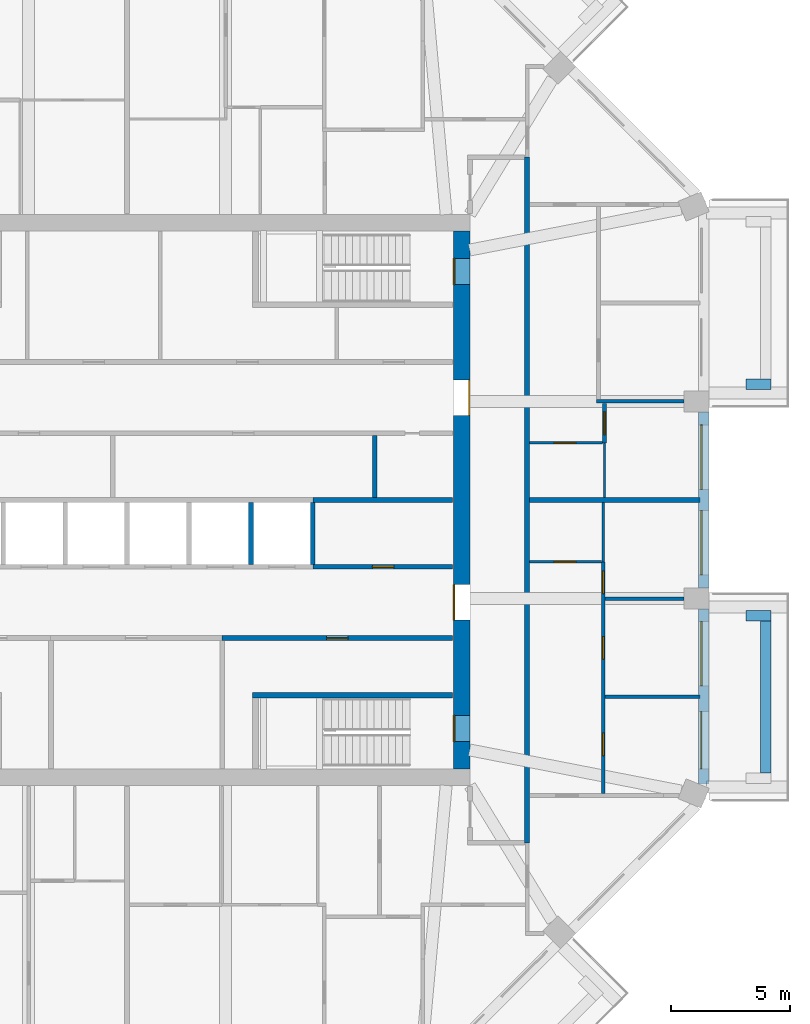
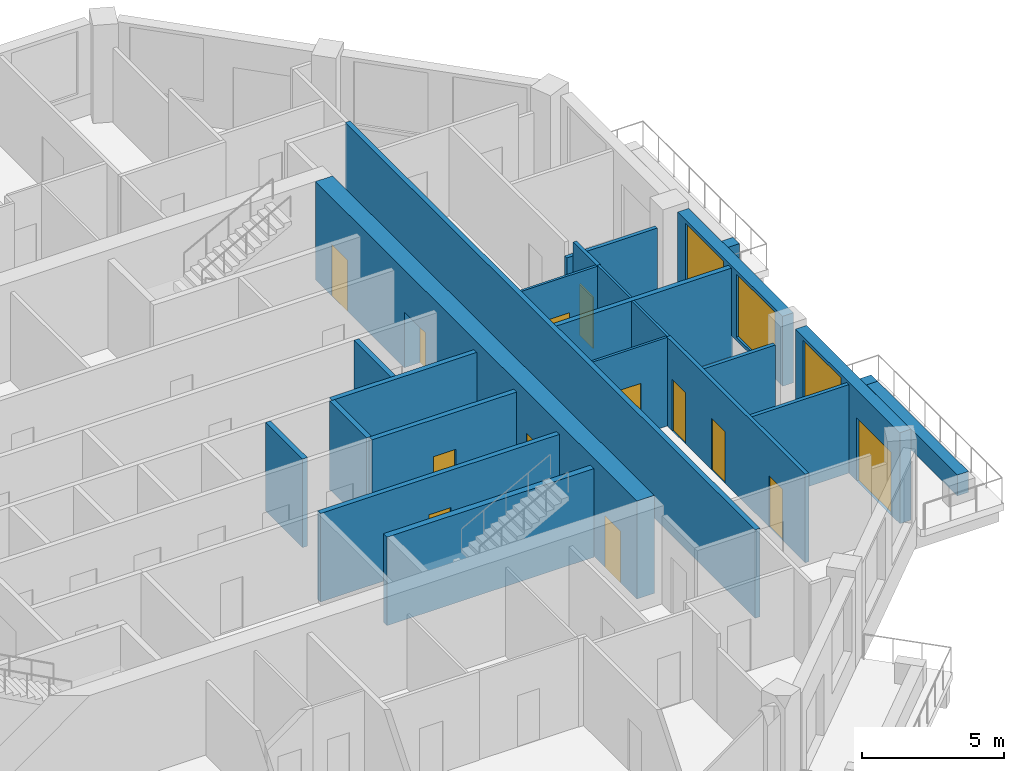
# One storey, part 6 of 12: 24 walls, 13 doors, 3 windows, 16 openings.
"""IFC4 building model written with IfcOpenShell, lengths in metres."""

from ifc_helpers import new_model, si_unit, direction, frame, frame_2d, origin, place, context, subcontext, project, spatial, rectangle, extrude, material, layer, layer_set, type_object, element, fill, save


model = new_model("IFC4")

# Units and contexts
model_context = context("Model", 3, precision=1e-05, world=origin(), true_north=direction((0.0, 1.0)))
body_context = subcontext(model_context, "Body", "Model", "MODEL_VIEW")
ifc_project = project(units=[si_unit("LENGTHUNIT", "METRE"), si_unit("AREAUNIT", "SQUARE_METRE"), si_unit("VOLUMEUNIT", "CUBIC_METRE"), si_unit("PLANEANGLEUNIT", "RADIAN"), si_unit("MASSUNIT", "GRAM", prefix="KILO")], contexts=[model_context])

# Site, building, storey
site_placement = place(None, origin())
site = spatial("IfcSite", under=ifc_project, at=site_placement, CompositionType="ELEMENT")
building_placement = place(site_placement, origin())
building = spatial("IfcBuilding", under=site, at=building_placement, Name="Msitu Wima Residences", CompositionType="ELEMENT")
storey_placement = place(building_placement, frame((0.0, 0.0, 200.10009765625)))
storey = spatial("IfcBuildingStorey", under=building, at=storey_placement, Name="L46", CompositionType="ELEMENT", Elevation=200.10009765625)

# Walls
ifc_material_1 = material(Name="Facing brick")
ifc_layer_1 = layer(ifc_material_1, 0.06494140625, Name="Facing brick")
ifc_material_2 = material(Name="Concrete C40/50", Category="concrete")
ifc_layer_2 = layer(ifc_material_2, 0.156005859375, Name="Concrete C40/50")
ifc_material_3 = material(Name="Waterproofing membrane")
ifc_layer_3 = layer(ifc_material_3, 0.00390625, Name="Waterproofing membrane")
ifc_material_4 = material(Name="Planting soil and planting")
ifc_layer_4 = layer(ifc_material_4, 0.22509765625, Name="Planting soil and planting")
ifc_layer_set_1 = layer_set([ifc_layer_1, ifc_layer_2, ifc_layer_3, ifc_layer_4], Name="Concrete C40/50")
wall_type_1 = type_object("IfcWallType", Name="Balcony planter PLANTER PL450", PredefinedType="USERDEFINED", material=ifc_layer_set_1)
wall_1_placement = place(storey_placement, frame((26.824951171875, -11.461669921875, 0.0), z_axis=(0.0, 0.0, 1.0), x_axis=(0.0, 1.0, 0.0)))
element("IfcWall", 1, at=wall_1_placement, inside=storey, type_object=wall_type_1, Name="Balcony planter E0 L46", ObjectType="PLANTER", PredefinedType="USERDEFINED", context=body_context, shape_type="SweptSolid", body=[
    extrude(rectangle(XDim=6.37451171875, YDim=0.449951171875, at=frame_2d((3.187255859375, 0.0))), origin(), (0.0, 0.0, 1.0), 0.89990234375),
])
for number, where, z_axis, x_axis, name in (
    (2, (26.0, -4.8623046875, 0.0), (0.0, 0.0, 1.0), (1.0, 0.0, 0.0), "Balcony planter E0 L46"),
    (3, (26.0, 4.8623046875, 0.0), (0.0, 0.0, 1.0), (1.0, 0.0, 0.0), "Balcony planter E2 L46"),
):
    element("IfcWall", number, at=place(storey_placement, frame(where, z_axis=z_axis, x_axis=x_axis)), inside=storey, type_object=wall_type_1, Name=name, ObjectType="PLANTER", PredefinedType="USERDEFINED", context=body_context, shape_type="SweptSolid", body=[
        extrude(rectangle(XDim=1.050048828125, YDim=0.449951171875, at=frame_2d((0.52490234375, 0.0))), origin(), (0.0, 0.0, 1.0), 0.89990234375),
    ])

# Wall, openings, door, window
ifc_material_5 = material(Name="Brick (red buff mix)", Category="masonry")
ifc_layer_5 = layer(ifc_material_5, 0.449951171875)
ifc_layer_set_2 = layer_set([ifc_layer_5], Name="Brick (red buff mix)")
wall_type_2 = type_object("IfcWallType", Name="Brick infill wall BW450", PredefinedType="SOLIDWALL", material=ifc_layer_set_2)
wall_2_placement = place(storey_placement, frame((24.22509765625, -11.9248046875, 0.0), z_axis=(0.0, 0.0, 1.0), x_axis=(0.0, 1.0, 0.0)))
wall_2 = element("IfcWall", 4, at=wall_2_placement, inside=storey, type_object=wall_type_2, Name="Brick infill wall L46 E0", PredefinedType="SOLIDWALL", context=body_context, shape_type="SweptSolid", body=[
    extrude(rectangle(XDim=7.337646484375, YDim=0.449951171875, at=frame_2d((3.6689453125, 0.0))), origin(), (0.0, 0.0, 1.0), 3.89990234375),
])
opening_1_placement = place(wall_2_placement, frame((0.63427734375, 0.0, 0.0)))
opening_1 = element("IfcOpeningElement", 5, at=opening_1_placement, cuts=wall_2, Name="Opening D46.001", PredefinedType="OPENING", context=body_context, shape_type="SweptSolid", body=[
    extrude(rectangle(XDim=2.39990234375, YDim=2.699951171875, at=frame_2d((1.199951171875, 1.35009765625))), frame((0.0, 0.23486328125, 0.0), z_axis=(0.0, -1.0, 0.0), x_axis=(1.0, 0.0, 0.0)), (0.0, 0.0, 1.0), 0.469970703125),
])
opening_2_placement = place(wall_2_placement, frame((4.11865234375, 0.0, 1.050048828125)))
opening_2 = element("IfcOpeningElement", 6, at=opening_2_placement, cuts=wall_2, Name="Opening W46.001", PredefinedType="OPENING", context=body_context, shape_type="SweptSolid", body=[
    extrude(rectangle(XDim=2.699951171875, YDim=2.699951171875, at=frame_2d((1.35009765625, 1.35009765625))), frame((0.0, 0.23486328125, 0.0), z_axis=(0.0, -1.0, 0.0), x_axis=(1.0, 0.0, 0.0)), (0.0, 0.0, 1.0), 0.469970703125),
])
ifc_material_6 = material(Name="Anodised aluminium, bronze finish, clear low-emissivity double glazing", Category="aluminium")
door_type_1 = type_object("IfcDoorType", Name="Balcony door D2400x2700", OperationType="SLIDING_TO_LEFT", PredefinedType="DOOR", material=ifc_material_6)
door_1_placement = place(opening_1_placement, origin())
door_1 = element("IfcDoor", 7, at=door_1_placement, inside=storey, type_object=door_type_1, Name="Balcony door L46 E0", OperationType="SINGLE_SWING_LEFT", OverallHeight=2.699951171875, OverallWidth=2.39990234375, PredefinedType="DOOR", context=body_context, shape_type="SweptSolid", body=[
    extrude(rectangle(XDim=2.39990234375, YDim=2.699951171875, at=frame_2d((1.199951171875, 1.35009765625))), frame((0.0, 0.1298828125, 0.0), z_axis=(0.0, -1.0, 0.0), x_axis=(1.0, 0.0, 0.0)), (0.0, 0.0, 1.0), 0.050048828125),
])
fill(opening_1, door_1)
window_type = type_object("IfcWindowType", Name="Window W2700x2700", PartitioningType="DOUBLE_PANEL_VERTICAL", PredefinedType="WINDOW", material=ifc_material_6)
window_1_placement = place(opening_2_placement, origin())
window_1 = element("IfcWindow", 8, at=window_1_placement, inside=storey, type_object=window_type, Name="Window L46 E0.2", OverallHeight=2.699951171875, OverallWidth=2.699951171875, PartitioningType="SINGLE_PANEL", PredefinedType="WINDOW", context=body_context, shape_type="SweptSolid", body=[
    extrude(rectangle(XDim=2.699951171875, YDim=2.699951171875, at=frame_2d((1.35009765625, 1.35009765625))), frame((0.0, 0.135009765625, 0.0), z_axis=(0.0, -1.0, 0.0), x_axis=(1.0, 0.0, 0.0)), (0.0, 0.0, 1.0), 0.06005859375),
])
fill(opening_2, window_1)

# Wall, openings, windows
wall_3_placement = place(storey_placement, frame((24.22509765625, -3.687255859375, 0.89990234375), z_axis=(0.0, 0.0, 1.0), x_axis=(0.0, 1.0, 0.0)))
wall_3 = element("IfcWall", 9, at=wall_3_placement, inside=storey, type_object=wall_type_2, Name="Brick infill wall L46 E1", PredefinedType="SOLIDWALL", context=body_context, shape_type="SweptSolid", body=[
    extrude(rectangle(XDim=7.37451171875, YDim=0.449951171875, at=frame_2d((3.687255859375, 0.0))), origin(), (0.0, 0.0, 1.0), 3.0),
])
opening_3_placement = place(wall_3_placement, frame((0.537353515625, 0.0, 0.14990234375)))
opening_3 = element("IfcOpeningElement", 10, at=opening_3_placement, cuts=wall_3, Name="Opening W46.002", PredefinedType="OPENING", context=body_context, shape_type="SweptSolid", body=[
    extrude(rectangle(XDim=2.699951171875, YDim=2.699951171875, at=frame_2d((1.35009765625, 1.35009765625))), frame((0.0, 0.23486328125, 0.0), z_axis=(0.0, -1.0, 0.0), x_axis=(1.0, 0.0, 0.0)), (0.0, 0.0, 1.0), 0.469970703125),
])
opening_4_placement = place(wall_3_placement, frame((4.13720703125, 0.0, 0.14990234375)))
opening_4 = element("IfcOpeningElement", 11, at=opening_4_placement, cuts=wall_3, Name="Opening W46.003", PredefinedType="OPENING", context=body_context, shape_type="SweptSolid", body=[
    extrude(rectangle(XDim=2.699951171875, YDim=2.699951171875, at=frame_2d((1.35009765625, 1.35009765625))), frame((0.0, 0.23486328125, 0.0), z_axis=(0.0, -1.0, 0.0), x_axis=(1.0, 0.0, 0.0)), (0.0, 0.0, 1.0), 0.469970703125),
])
window_2_placement = place(opening_3_placement, origin())
window_2 = element("IfcWindow", 12, at=window_2_placement, inside=storey, type_object=window_type, Name="Window L46 E1.1", OverallHeight=2.699951171875, OverallWidth=2.699951171875, PartitioningType="SINGLE_PANEL", PredefinedType="WINDOW", context=body_context, shape_type="SweptSolid", body=[
    extrude(rectangle(XDim=2.699951171875, YDim=2.699951171875, at=frame_2d((1.35009765625, 1.35009765625))), frame((0.0, 0.135009765625, 0.0), z_axis=(0.0, -1.0, 0.0), x_axis=(1.0, 0.0, 0.0)), (0.0, 0.0, 1.0), 0.06005859375),
])
fill(opening_3, window_2)
window_3_placement = place(opening_4_placement, origin())
window_3 = element("IfcWindow", 13, at=window_3_placement, inside=storey, type_object=window_type, Name="Window L46 E1.2", OverallHeight=2.699951171875, OverallWidth=2.699951171875, PartitioningType="SINGLE_PANEL", PredefinedType="WINDOW", context=body_context, shape_type="SweptSolid", body=[
    extrude(rectangle(XDim=2.699951171875, YDim=2.699951171875, at=frame_2d((1.35009765625, 1.35009765625))), frame((0.0, 0.135009765625, 0.0), z_axis=(0.0, -1.0, 0.0), x_axis=(1.0, 0.0, 0.0)), (0.0, 0.0, 1.0), 0.06005859375),
])
fill(opening_4, window_3)

# Wall, openings, doors
ifc_material_7 = material(Name="Concrete C60/75", Category="concrete")
ifc_layer_6 = layer(ifc_material_7, 0.699951171875)
ifc_layer_set_3 = layer_set([ifc_layer_6], Name="Concrete C60/75")
wall_type_3 = type_object("IfcWallType", Name="Core wall CW700 C60/75", PredefinedType="SHEAR", material=ifc_layer_set_3)
wall_4_placement = place(storey_placement, frame((14.050048828125, -11.300048828125, 0.0), z_axis=(0.0, 0.0, 1.0), x_axis=(0.0, 1.0, 0.0)))
wall_4 = element("IfcWall", 14, at=wall_4_placement, inside=storey, type_object=wall_type_3, Name="Core wall", PredefinedType="SHEAR", context=body_context, shape_type="SweptSolid", body=[
    extrude(rectangle(XDim=22.60009765625, YDim=0.699951171875, at=frame_2d((11.300048828125, 0.0))), origin(), (0.0, 0.0, 1.0), 4.199951171875),
])
opening_5_placement = place(wall_4_placement, frame((20.35009765625, 0.0, 0.0)))
opening_5 = element("IfcOpeningElement", 15, at=opening_5_placement, cuts=wall_4, Name="Opening D46.081", PredefinedType="OPENING", context=body_context, shape_type="SweptSolid", body=[
    extrude(rectangle(XDim=1.10009765625, YDim=2.199951171875, at=frame_2d((0.550048828125, 1.10009765625))), frame((0.0, 0.35986328125, 0.0), z_axis=(0.0, -1.0, 0.0), x_axis=(1.0, 0.0, 0.0)), (0.0, 0.0, 1.0), 0.719970703125),
])
opening_6_placement = place(wall_4_placement, frame((1.14990234375, 0.0, 0.0)))
opening_6 = element("IfcOpeningElement", 16, at=opening_6_placement, cuts=wall_4, Name="Opening D46.082", PredefinedType="OPENING", context=body_context, shape_type="SweptSolid", body=[
    extrude(rectangle(XDim=1.10009765625, YDim=2.199951171875, at=frame_2d((0.550048828125, 1.10009765625))), frame((0.0, 0.35986328125, 0.0), z_axis=(0.0, -1.0, 0.0), x_axis=(1.0, 0.0, 0.0)), (0.0, 0.0, 1.0), 0.719970703125),
])
opening_7_placement = place(wall_4_placement, frame((14.85009765625, 0.0, 0.0)))
opening_7 = element("IfcOpeningElement", 17, at=opening_7_placement, cuts=wall_4, Name="Opening D46.071", PredefinedType="OPENING", context=body_context, shape_type="SweptSolid", body=[
    extrude(rectangle(XDim=1.5, YDim=2.39990234375, at=frame_2d((0.75, 1.199951171875))), frame((0.0, 0.35986328125, 0.0), z_axis=(0.0, -1.0, 0.0), x_axis=(1.0, 0.0, 0.0)), (0.0, 0.0, 1.0), 0.719970703125),
])
opening_8_placement = place(wall_4_placement, frame((6.25, 0.0, 0.0)))
opening_8 = element("IfcOpeningElement", 18, at=opening_8_placement, cuts=wall_4, Name="Opening D46.072", PredefinedType="OPENING", context=body_context, shape_type="SweptSolid", body=[
    extrude(rectangle(XDim=1.5, YDim=2.39990234375, at=frame_2d((0.75, 1.199951171875))), frame((0.0, 0.35986328125, 0.0), z_axis=(0.0, -1.0, 0.0), x_axis=(1.0, 0.0, 0.0)), (0.0, 0.0, 1.0), 0.719970703125),
])
ifc_material_8 = material(Name="Steel framed glazed door, fire resisting", Category="steel")
door_type_2 = type_object("IfcDoorType", Name="Lobby door D07 1500x2400", OperationType="DOUBLE_DOOR_SINGLE_SWING", PredefinedType="DOOR", material=ifc_material_8)
door_2_placement = place(opening_7_placement, origin())
door_2 = element("IfcDoor", 19, at=door_2_placement, inside=storey, type_object=door_type_2, Name="Lobby door", OperationType="DOUBLE_DOOR_SINGLE_SWING", OverallHeight=2.39990234375, OverallWidth=1.5, PredefinedType="DOOR", context=body_context, shape_type="SweptSolid", body=[
    extrude(rectangle(XDim=1.5, YDim=2.39990234375, at=frame_2d((0.75, 1.199951171875))), frame((0.0, -0.294921875, 0.0), z_axis=(0.0, -1.0, 0.0), x_axis=(1.0, 0.0, 0.0)), (0.0, 0.0, 1.0), 0.050048828125),
])
fill(opening_7, door_2)
door_3_placement = place(opening_8_placement, origin())
door_3 = element("IfcDoor", 20, at=door_3_placement, inside=storey, type_object=door_type_2, Name="Lobby door", OperationType="DOUBLE_DOOR_SINGLE_SWING", OverallHeight=2.39990234375, OverallWidth=1.5, PredefinedType="DOOR", context=body_context, shape_type="SweptSolid", body=[
    extrude(rectangle(XDim=1.5, YDim=2.39990234375, at=frame_2d((0.75, 1.199951171875))), frame((0.0, 0.34521484375, 0.0), z_axis=(0.0, -1.0, 0.0), x_axis=(1.0, 0.0, 0.0)), (0.0, 0.0, 1.0), 0.050048828125),
])
fill(opening_8, door_3)
ifc_material_9 = material(Name="Steel door, fire resisting, panic bar", Category="steel")
door_type_3 = type_object("IfcDoorType", Name="Stair door D06 1100x2200", OperationType="SINGLE_SWING_LEFT", PredefinedType="DOOR", material=ifc_material_9)
door_4_placement = place(opening_5_placement, origin())
door_4 = element("IfcDoor", 21, at=door_4_placement, inside=storey, type_object=door_type_3, Name="Stair door", OperationType="SINGLE_SWING_LEFT", OverallHeight=2.199951171875, OverallWidth=1.10009765625, PredefinedType="DOOR", context=body_context, shape_type="SweptSolid", body=[
    extrude(rectangle(XDim=1.10009765625, YDim=2.199951171875, at=frame_2d((0.550048828125, 1.10009765625))), frame((0.0, 0.34521484375, 0.0), z_axis=(0.0, -1.0, 0.0), x_axis=(1.0, 0.0, 0.0)), (0.0, 0.0, 1.0), 0.050048828125),
])
fill(opening_5, door_4)
door_5_placement = place(opening_6_placement, origin())
door_5 = element("IfcDoor", 22, at=door_5_placement, inside=storey, type_object=door_type_3, Name="Stair door", OperationType="SINGLE_SWING_RIGHT", OverallHeight=2.199951171875, OverallWidth=1.10009765625, PredefinedType="DOOR", context=body_context, shape_type="SweptSolid", body=[
    extrude(rectangle(XDim=1.10009765625, YDim=2.199951171875, at=frame_2d((0.550048828125, 1.10009765625))), frame((0.0, 0.34521484375, 0.0), z_axis=(0.0, -1.0, 0.0), x_axis=(1.0, 0.0, 0.0)), (0.0, 0.0, 1.0), 0.050048828125),
])
fill(opening_6, door_5)

# Wall, opening, door
ifc_material_10 = material(Name="Plaster")
ifc_layer_7 = layer(ifc_material_10, 0.011962890625, Name="Plaster")
ifc_material_11 = material(Name="Concrete blockwork", Category="masonry")
ifc_layer_8 = layer(ifc_material_11, 0.176025390625, Name="Concrete blockwork")
ifc_layer_9 = layer(ifc_material_10, 0.011962890625, Name="Plaster")
ifc_layer_set_4 = layer_set([ifc_layer_7, ifc_layer_8, ifc_layer_9], Name="Concrete blockwork")
wall_type_4 = type_object("IfcWallType", Name="Corridor wall FW200", PredefinedType="PARTITIONING", material=ifc_layer_set_4)
wall_5_placement = place(storey_placement, frame((3.97998046875, -5.800048828125, 0.0), z_axis=(0.0, 0.0, 1.0), x_axis=(1.0, 0.0, 0.0)))
wall_5 = element("IfcWall", 23, at=wall_5_placement, inside=storey, type_object=wall_type_4, Name="Corridor wall", PredefinedType="PARTITIONING", context=body_context, shape_type="SweptSolid", body=[
    extrude(rectangle(XDim=9.68994140625, YDim=0.199951171875, at=frame_2d((4.844970703125, 0.0))), origin(), (0.0, 0.0, 1.0), 3.7978515625),
])
opening_9_placement = place(wall_5_placement, frame((4.39990234375, 0.0, 0.0)))
opening_9 = element("IfcOpeningElement", 24, at=opening_9_placement, cuts=wall_5, Name="Opening D46.070", PredefinedType="OPENING", context=body_context, shape_type="SweptSolid", body=[
    extrude(rectangle(XDim=0.89990234375, YDim=2.199951171875, at=frame_2d((0.449951171875, 1.10009765625))), frame((0.0, 0.10986328125, 0.0), z_axis=(0.0, -1.0, 0.0), x_axis=(1.0, 0.0, 0.0)), (0.0, 0.0, 1.0), 0.219970703125),
])
ifc_material_12 = material(Name="Timber flush door", Category="wood")
door_type_4 = type_object("IfcDoorType", Name="Service door D05 900x2200", OperationType="SINGLE_SWING_LEFT", PredefinedType="DOOR", material=ifc_material_12)
door_6_placement = place(opening_9_placement, origin())
door_6 = element("IfcDoor", 25, at=door_6_placement, inside=storey, type_object=door_type_4, Name="Service door", OperationType="SINGLE_SWING_LEFT", OverallHeight=2.199951171875, OverallWidth=0.89990234375, PredefinedType="DOOR", context=body_context, shape_type="SweptSolid", body=[
    extrude(rectangle(XDim=0.89990234375, YDim=2.199951171875, at=frame_2d((0.449951171875, 1.10009765625))), frame((0.0, 0.02490234375, 0.0), z_axis=(0.0, -1.0, 0.0), x_axis=(1.0, 0.0, 0.0)), (0.0, 0.0, 1.0), 0.050048828125),
])
fill(opening_9, door_6)

# Walls
wall_6_placement = place(storey_placement, frame((16.800048828125, -14.39990234375, 0.0), z_axis=(0.0, 0.0, 1.0), x_axis=(0.0, 1.0, 0.0)))
element("IfcWall", 26, at=wall_6_placement, inside=storey, type_object=wall_type_4, Name="Corridor wall", PredefinedType="PARTITIONING", context=body_context, shape_type="SweptSolid", body=[
    extrude(rectangle(XDim=28.7998046875, YDim=0.199951171875, at=frame_2d((14.39990234375, 0.0))), origin(), (0.0, 0.0, 1.0), 3.7978515625),
])
ifc_layer_10 = layer(ifc_material_10, 0.011962890625, Name="Plaster")
ifc_layer_11 = layer(ifc_material_11, 0.1259765625, Name="Concrete blockwork")
ifc_layer_12 = layer(ifc_material_10, 0.011962890625, Name="Plaster")
ifc_layer_set_5 = layer_set([ifc_layer_10, ifc_layer_11, ifc_layer_12], Name="Concrete blockwork")
wall_type_5 = type_object("IfcWallType", Name="Partition PW150", PredefinedType="PARTITIONING", material=ifc_layer_set_5)
wall_7_placement = place(storey_placement, frame((19.72509765625, 4.139892578125, 0.0), z_axis=(0.0, 0.0, 1.0), x_axis=(1.0, 0.0, 0.0)))
element("IfcWall", 27, at=wall_7_placement, inside=storey, type_object=wall_type_5, Name="Partition", PredefinedType="PARTITIONING", context=body_context, shape_type="SweptSolid", body=[
    extrude(rectangle(XDim=3.6748046875, YDim=0.14990234375, at=frame_2d((1.83740234375, 0.0))), origin(), (0.0, 0.0, 1.0), 3.199951171875),
])

# Wall, openings, doors
wall_8_placement = place(storey_placement, frame((20.0, -12.336669921875, 0.0), z_axis=(0.0, 0.0, 1.0), x_axis=(0.0, 1.0, 0.0)))
wall_8 = element("IfcWall", 28, at=wall_8_placement, inside=storey, type_object=wall_type_5, Name="Partition", PredefinedType="PARTITIONING", context=body_context, shape_type="SweptSolid", body=[
    extrude(rectangle(XDim=9.736572265625, YDim=0.14990234375, at=frame_2d((4.8681640625, 0.0))), origin(), (0.0, 0.0, 1.0), 3.7978515625),
])
opening_10_placement = place(wall_8_placement, frame((8.39990234375, 0.0, 0.0)))
opening_10 = element("IfcOpeningElement", 29, at=opening_10_placement, cuts=wall_8, Name="Opening D46.056", PredefinedType="OPENING", context=body_context, shape_type="SweptSolid", body=[
    extrude(rectangle(XDim=0.949951171875, YDim=2.199951171875, at=frame_2d((0.47509765625, 1.10009765625))), frame((0.0, 0.0849609375, 0.0), z_axis=(0.0, -1.0, 0.0), x_axis=(1.0, 0.0, 0.0)), (0.0, 0.0, 1.0), 0.169921875),
])
opening_11_placement = place(wall_8_placement, frame((5.64990234375, 0.0, 0.0)))
opening_11 = element("IfcOpeningElement", 30, at=opening_11_placement, cuts=wall_8, Name="Opening D46.057", PredefinedType="OPENING", context=body_context, shape_type="SweptSolid", body=[
    extrude(rectangle(XDim=0.949951171875, YDim=2.199951171875, at=frame_2d((0.47509765625, 1.10009765625))), frame((0.0, 0.0849609375, 0.0), z_axis=(0.0, -1.0, 0.0), x_axis=(1.0, 0.0, 0.0)), (0.0, 0.0, 1.0), 0.169921875),
])
opening_12_placement = place(wall_8_placement, frame((1.60009765625, 0.0, 0.0)))
opening_12 = element("IfcOpeningElement", 31, at=opening_12_placement, cuts=wall_8, Name="Opening D46.058", PredefinedType="OPENING", context=body_context, shape_type="SweptSolid", body=[
    extrude(rectangle(XDim=0.949951171875, YDim=2.199951171875, at=frame_2d((0.47509765625, 1.10009765625))), frame((0.0, 0.0849609375, 0.0), z_axis=(0.0, -1.0, 0.0), x_axis=(1.0, 0.0, 0.0)), (0.0, 0.0, 1.0), 0.169921875),
])
door_type_5 = type_object("IfcDoorType", Name="Room door D12 950x2200", OperationType="SINGLE_SWING_LEFT", PredefinedType="DOOR", material=ifc_material_12)
door_7_placement = place(opening_10_placement, origin())
door_7 = element("IfcDoor", 32, at=door_7_placement, inside=storey, type_object=door_type_5, Name="Room door", OperationType="SINGLE_SWING_RIGHT", OverallHeight=2.199951171875, OverallWidth=0.949951171875, PredefinedType="DOOR", context=body_context, shape_type="SweptSolid", body=[
    extrude(rectangle(XDim=0.949951171875, YDim=2.199951171875, at=frame_2d((0.47509765625, 1.10009765625))), frame((0.0, 0.02490234375, 0.0), z_axis=(0.0, -1.0, 0.0), x_axis=(1.0, 0.0, 0.0)), (0.0, 0.0, 1.0), 0.050048828125),
])
fill(opening_10, door_7)
door_8_placement = place(opening_11_placement, origin())
door_8 = element("IfcDoor", 33, at=door_8_placement, inside=storey, type_object=door_type_5, Name="Room door", OperationType="SINGLE_SWING_RIGHT", OverallHeight=2.199951171875, OverallWidth=0.949951171875, PredefinedType="DOOR", context=body_context, shape_type="SweptSolid", body=[
    extrude(rectangle(XDim=0.949951171875, YDim=2.199951171875, at=frame_2d((0.47509765625, 1.10009765625))), frame((0.0, 0.02490234375, 0.0), z_axis=(0.0, -1.0, 0.0), x_axis=(1.0, 0.0, 0.0)), (0.0, 0.0, 1.0), 0.050048828125),
])
fill(opening_11, door_8)
door_9_placement = place(opening_12_placement, origin())
door_9 = element("IfcDoor", 34, at=door_9_placement, inside=storey, type_object=door_type_5, Name="Room door", OperationType="SINGLE_SWING_LEFT", OverallHeight=2.199951171875, OverallWidth=0.949951171875, PredefinedType="DOOR", context=body_context, shape_type="SweptSolid", body=[
    extrude(rectangle(XDim=0.949951171875, YDim=2.199951171875, at=frame_2d((0.47509765625, 1.10009765625))), frame((0.0, 0.02490234375, 0.0), z_axis=(0.0, -1.0, 0.0), x_axis=(1.0, 0.0, 0.0)), (0.0, 0.0, 1.0), 0.050048828125),
])
fill(opening_12, door_9)

# Walls
wall_9_placement = place(storey_placement, frame((20.074951171875, -8.27001953125, 0.0), z_axis=(0.0, 0.0, 1.0), x_axis=(1.0, 0.0, 0.0)))
element("IfcWall", 35, at=wall_9_placement, inside=storey, type_object=wall_type_5, Name="Partition", PredefinedType="PARTITIONING", context=body_context, shape_type="SweptSolid", body=[
    extrude(rectangle(XDim=3.97998046875, YDim=0.14990234375, at=frame_2d((1.989990234375, 0.0))), origin(), (0.0, 0.0, 1.0), 3.7978515625),
])
wall_10_placement = place(storey_placement, frame((20.074951171875, -4.139892578125, 0.0), z_axis=(0.0, 0.0, 1.0), x_axis=(1.0, 0.0, 0.0)))
element("IfcWall", 36, at=wall_10_placement, inside=storey, type_object=wall_type_5, Name="Partition", PredefinedType="PARTITIONING", context=body_context, shape_type="SweptSolid", body=[
    extrude(rectangle(XDim=3.324951171875, YDim=0.14990234375, at=frame_2d((1.66259765625, 0.0))), origin(), (0.0, 0.0, 1.0), 3.199951171875),
])

# Wall, opening, door
wall_11_placement = place(storey_placement, frame((20.050048828125, 2.39990234375, 0.0), z_axis=(0.0, 0.0, 1.0), x_axis=(0.0, 1.0, 0.0)))
wall_11 = element("IfcWall", 37, at=wall_11_placement, inside=storey, type_object=wall_type_5, Name="Partition", PredefinedType="PARTITIONING", context=body_context, shape_type="SweptSolid", body=[
    extrude(rectangle(XDim=1.662353515625, YDim=0.14990234375, at=frame_2d((0.8310546875, 0.0))), origin(), (0.0, 0.0, 1.0), 3.7978515625),
])
opening_13_placement = place(wall_11_placement, frame((0.35009765625, 0.0, 0.0)))
opening_13 = element("IfcOpeningElement", 38, at=opening_13_placement, cuts=wall_11, Name="Opening D46.021", PredefinedType="OPENING", context=body_context, shape_type="SweptSolid", body=[
    extrude(rectangle(XDim=0.949951171875, YDim=2.199951171875, at=frame_2d((0.47509765625, 1.10009765625))), frame((0.0, 0.0849609375, 0.0), z_axis=(0.0, -1.0, 0.0), x_axis=(1.0, 0.0, 0.0)), (0.0, 0.0, 1.0), 0.169921875),
])
door_10_placement = place(opening_13_placement, origin())
door_10 = element("IfcDoor", 39, at=door_10_placement, inside=storey, type_object=door_type_5, Name="Room door", OperationType="SINGLE_SWING_LEFT", OverallHeight=2.199951171875, OverallWidth=0.949951171875, PredefinedType="DOOR", context=body_context, shape_type="SweptSolid", body=[
    extrude(rectangle(XDim=0.949951171875, YDim=2.199951171875, at=frame_2d((0.47509765625, 1.10009765625))), frame((0.0, 0.02490234375, 0.0), z_axis=(0.0, -1.0, 0.0), x_axis=(1.0, 0.0, 0.0)), (0.0, 0.0, 1.0), 0.050048828125),
])
fill(opening_13, door_10)

# Wall
ifc_layer_13 = layer(ifc_material_10, 0.011962890625, Name="Plaster")
ifc_material_13 = material(Name="Dense concrete blockwork", Category="masonry")
ifc_layer_14 = layer(ifc_material_13, 0.176025390625, Name="Dense concrete blockwork")
ifc_layer_15 = layer(ifc_material_10, 0.011962890625, Name="Plaster")
ifc_layer_set_6 = layer_set([ifc_layer_13, ifc_layer_14, ifc_layer_15], Name="Dense concrete blockwork")
wall_type_6 = type_object("IfcWallType", Name="Party wall PW200", PredefinedType="PARTITIONING", material=ifc_layer_set_6)
wall_12_placement = place(storey_placement, frame((16.89990234375, 0.0, 0.0), z_axis=(0.0, 0.0, 1.0), x_axis=(1.0, 0.0, 0.0)))
element("IfcWall", 40, at=wall_12_placement, inside=storey, type_object=wall_type_6, Name="Party wall", PredefinedType="PARTITIONING", context=body_context, shape_type="SweptSolid", body=[
    extrude(rectangle(XDim=7.155029296875, YDim=0.199951171875, at=frame_2d((3.57763671875, 0.0))), origin(), (0.0, 0.0, 1.0), 3.7978515625),
])

# Wall, opening, door
ifc_layer_16 = layer(ifc_material_10, 0.011962890625, Name="Plaster")
ifc_material_14 = material(Name="Reinforced concrete blockwork", Category="masonry")
ifc_layer_17 = layer(ifc_material_14, 0.176025390625, Name="Reinforced concrete blockwork")
ifc_layer_18 = layer(ifc_material_10, 0.011962890625, Name="Plaster")
ifc_layer_set_7 = layer_set([ifc_layer_16, ifc_layer_17, ifc_layer_18], Name="Reinforced concrete blockwork")
wall_type_7 = type_object("IfcWallType", Name="Plant and riser wall PL200", PredefinedType="PARTITIONING", material=ifc_layer_set_7)
wall_13_placement = place(storey_placement, frame((7.800048828125, -2.800048828125, 0.0), z_axis=(0.0, 0.0, 1.0), x_axis=(1.0, 0.0, 0.0)))
wall_13 = element("IfcWall", 41, at=wall_13_placement, inside=storey, type_object=wall_type_7, Name="Plant and riser wall", PredefinedType="PARTITIONING", context=body_context, shape_type="SweptSolid", body=[
    extrude(rectangle(XDim=5.869873046875, YDim=0.199951171875, at=frame_2d((2.93505859375, 0.0))), origin(), (0.0, 0.0, 1.0), 3.7978515625),
])
opening_14_placement = place(wall_13_placement, frame((2.5, 0.0, 0.0)))
opening_14 = element("IfcOpeningElement", 42, at=opening_14_placement, cuts=wall_13, Name="Opening D46.059", PredefinedType="OPENING", context=body_context, shape_type="SweptSolid", body=[
    extrude(rectangle(XDim=0.89990234375, YDim=2.199951171875, at=frame_2d((0.449951171875, 1.10009765625))), frame((0.0, 0.10986328125, 0.0), z_axis=(0.0, -1.0, 0.0), x_axis=(1.0, 0.0, 0.0)), (0.0, 0.0, 1.0), 0.219970703125),
])
door_11_placement = place(opening_14_placement, origin())
door_11 = element("IfcDoor", 43, at=door_11_placement, inside=storey, type_object=door_type_4, Name="Service door", OperationType="SINGLE_SWING_LEFT", OverallHeight=2.199951171875, OverallWidth=0.89990234375, PredefinedType="DOOR", context=body_context, shape_type="SweptSolid", body=[
    extrude(rectangle(XDim=0.89990234375, YDim=2.199951171875, at=frame_2d((0.449951171875, 1.10009765625))), frame((0.0, 0.02490234375, 0.0), z_axis=(0.0, -1.0, 0.0), x_axis=(1.0, 0.0, 0.0)), (0.0, 0.0, 1.0), 0.050048828125),
])
fill(opening_14, door_11)

# Walls
wall_14_placement = place(storey_placement, frame((7.800048828125, 0.0, 0.0), z_axis=(0.0, 0.0, 1.0), x_axis=(1.0, 0.0, 0.0)))
element("IfcWall", 44, at=wall_14_placement, inside=storey, type_object=wall_type_7, Name="Plant and riser wall", PredefinedType="PARTITIONING", context=body_context, shape_type="SweptSolid", body=[
    extrude(rectangle(XDim=5.869873046875, YDim=0.199951171875, at=frame_2d((2.93505859375, 0.0))), origin(), (0.0, 0.0, 1.0), 3.7978515625),
])
wall_15_placement = place(storey_placement, frame((10.39990234375, 0.10009765625, 0.0), z_axis=(0.0, 0.0, 1.0), x_axis=(0.0, 1.0, 0.0)))
element("IfcWall", 45, at=wall_15_placement, inside=storey, type_object=wall_type_7, Name="Plant and riser wall", PredefinedType="PARTITIONING", context=body_context, shape_type="SweptSolid", body=[
    extrude(rectangle(XDim=2.599853515625, YDim=0.199951171875, at=frame_2d((1.2998046875, 0.0))), origin(), (0.0, 0.0, 1.0), 3.7978515625),
])
ifc_material_15 = material(Name="Fire-rated board")
ifc_layer_19 = layer(ifc_material_15, 0.02490234375, Name="Fire-rated board")
ifc_material_16 = material(Name="Light-gauge stud framing with mineral wool")
ifc_layer_20 = layer(ifc_material_16, 0.14990234375, Name="Light-gauge stud framing with mineral wool")
ifc_layer_21 = layer(ifc_material_15, 0.02490234375, Name="Fire-rated board")
ifc_layer_set_8 = layer_set([ifc_layer_19, ifc_layer_20, ifc_layer_21], Name="Light-gauge stud framing with mineral wool")
wall_type_8 = type_object("IfcWallType", Name="Shaft wall SH200", PredefinedType="PARTITIONING", material=ifc_layer_set_8)
for number, where, z_axis, x_axis, name in (
    (46, (5.199951171875, -2.699951171875, 0.0), (0.0, 0.0, 1.0), (0.0, 1.0, 0.0), "Shaft wall"),
    (47, (7.800048828125, -2.699951171875, 0.0), (0.0, 0.0, 1.0), (0.0, 1.0, 0.0), "Shaft wall"),
):
    element("IfcWall", number, at=place(storey_placement, frame(where, z_axis=z_axis, x_axis=x_axis)), inside=storey, type_object=wall_type_8, Name=name, PredefinedType="PARTITIONING", context=body_context, shape_type="SweptSolid", body=[
        extrude(rectangle(XDim=2.599853515625, YDim=0.199951171875, at=frame_2d((1.2998046875, 0.0))), origin(), (0.0, 0.0, 1.0), 3.7978515625),
    ])
ifc_material_17 = material(Name="Concrete C50/60", Category="concrete")
ifc_layer_22 = layer(ifc_material_17, 0.25)
ifc_layer_set_9 = layer_set([ifc_layer_22], Name="Concrete C50/60")
wall_type_9 = type_object("IfcWallType", Name="Stair enclosure wall SW250", PredefinedType="SHEAR", material=ifc_layer_set_9)
wall_16_placement = place(storey_placement, frame((5.27490234375, -8.199951171875, 0.0), z_axis=(0.0, 0.0, 1.0), x_axis=(1.0, 0.0, 0.0)))
element("IfcWall", 48, at=wall_16_placement, inside=storey, type_object=wall_type_9, Name="Stair enclosure wall", PredefinedType="SHEAR", context=body_context, shape_type="SweptSolid", body=[
    extrude(rectangle(XDim=8.39501953125, YDim=0.25, at=frame_2d((4.197509765625, 0.0))), origin(), (0.0, 0.0, 1.0), 3.7978515625),
])

# Wall, opening, door
ifc_material_18 = material(Name="Ceramic tiles")
ifc_layer_23 = layer(ifc_material_18, 0.008056640625, Name="Ceramic tiles")
ifc_material_19 = material(Name="Moisture-resistant board")
ifc_layer_24 = layer(ifc_material_19, 0.012451171875, Name="Moisture-resistant board")
ifc_layer_25 = layer(ifc_material_16, 0.06689453125, Name="Light-gauge stud framing with mineral wool")
ifc_layer_26 = layer(ifc_material_19, 0.012451171875, Name="Moisture-resistant board")
ifc_layer_set_10 = layer_set([ifc_layer_23, ifc_layer_24, ifc_layer_25, ifc_layer_26], Name="Light-gauge stud framing with mineral wool")
wall_type_10 = type_object("IfcWallType", Name="Wet wall PW100", PredefinedType="PARTITIONING", material=ifc_layer_set_10)
wall_17_placement = place(storey_placement, frame((16.89990234375, -2.60009765625, 0.0), z_axis=(0.0, 0.0, 1.0), x_axis=(1.0, 0.0, 0.0)))
wall_17 = element("IfcWall", 49, at=wall_17_placement, inside=storey, type_object=wall_type_10, Name="Wet wall", PredefinedType="PARTITIONING", context=body_context, shape_type="SweptSolid", body=[
    extrude(rectangle(XDim=3.025146484375, YDim=0.10009765625, at=frame_2d((1.5126953125, 0.0))), origin(), (0.0, 0.0, 1.0), 3.7978515625),
])
opening_15_placement = place(wall_17_placement, frame((1.050048828125, 0.0, 0.0)))
opening_15 = element("IfcOpeningElement", 50, at=opening_15_placement, cuts=wall_17, Name="Opening D46.050", PredefinedType="OPENING", context=body_context, shape_type="SweptSolid", body=[
    extrude(rectangle(XDim=0.89990234375, YDim=2.199951171875, at=frame_2d((0.449951171875, 1.10009765625))), frame((0.0, 0.06005859375, 0.0), z_axis=(0.0, -1.0, 0.0), x_axis=(1.0, 0.0, 0.0)), (0.0, 0.0, 1.0), 0.1201171875),
])
ifc_material_20 = material(Name="Timber flush door, moisture resistant", Category="wood")
door_type_6 = type_object("IfcDoorType", Name="Bathroom door D03 900x2200", OperationType="SINGLE_SWING_LEFT", PredefinedType="DOOR", material=ifc_material_20)
door_12_placement = place(opening_15_placement, origin())
door_12 = element("IfcDoor", 51, at=door_12_placement, inside=storey, type_object=door_type_6, Name="Bathroom door", OperationType="SINGLE_SWING_LEFT", OverallHeight=2.199951171875, OverallWidth=0.89990234375, PredefinedType="DOOR", context=body_context, shape_type="SweptSolid", body=[
    extrude(rectangle(XDim=0.89990234375, YDim=2.199951171875, at=frame_2d((0.449951171875, 1.10009765625))), frame((0.0, 0.02490234375, 0.0), z_axis=(0.0, -1.0, 0.0), x_axis=(1.0, 0.0, 0.0)), (0.0, 0.0, 1.0), 0.050048828125),
])
fill(opening_15, door_12)

wall_18_placement = place(storey_placement, frame((16.89990234375, 2.39990234375, 0.0), z_axis=(0.0, 0.0, 1.0), x_axis=(1.0, 0.0, 0.0)))
wall_18 = element("IfcWall", 52, at=wall_18_placement, inside=storey, type_object=wall_type_10, Name="Wet wall", PredefinedType="PARTITIONING", context=body_context, shape_type="SweptSolid", body=[
    extrude(rectangle(XDim=3.0751953125, YDim=0.10009765625, at=frame_2d((1.53759765625, 0.0))), origin(), (0.0, 0.0, 1.0), 3.7978515625),
])
opening_16_placement = place(wall_18_placement, frame((1.050048828125, 0.0, 0.0)))
opening_16 = element("IfcOpeningElement", 53, at=opening_16_placement, cuts=wall_18, Name="Opening D46.015", PredefinedType="OPENING", context=body_context, shape_type="SweptSolid", body=[
    extrude(rectangle(XDim=0.89990234375, YDim=2.199951171875, at=frame_2d((0.449951171875, 1.10009765625))), frame((0.0, 0.06005859375, 0.0), z_axis=(0.0, -1.0, 0.0), x_axis=(1.0, 0.0, 0.0)), (0.0, 0.0, 1.0), 0.1201171875),
])
door_13_placement = place(opening_16_placement, origin())
door_13 = element("IfcDoor", 54, at=door_13_placement, inside=storey, type_object=door_type_6, Name="Bathroom door", OperationType="SINGLE_SWING_RIGHT", OverallHeight=2.199951171875, OverallWidth=0.89990234375, PredefinedType="DOOR", context=body_context, shape_type="SweptSolid", body=[
    extrude(rectangle(XDim=0.89990234375, YDim=2.199951171875, at=frame_2d((0.449951171875, 1.10009765625))), frame((0.0, 0.02490234375, 0.0), z_axis=(0.0, -1.0, 0.0), x_axis=(1.0, 0.0, 0.0)), (0.0, 0.0, 1.0), 0.050048828125),
])
fill(opening_16, door_13)

# Walls
wall_19_placement = place(storey_placement, frame((20.0, -2.60009765625, 0.0), z_axis=(0.0, 0.0, 1.0), x_axis=(0.0, 1.0, 0.0)))
element("IfcWall", 55, at=wall_19_placement, inside=storey, type_object=wall_type_10, Name="Wet wall", PredefinedType="PARTITIONING", context=body_context, shape_type="SweptSolid", body=[
    extrude(rectangle(XDim=2.5, YDim=0.10009765625, at=frame_2d((1.25, 0.0))), origin(), (0.0, 0.0, 1.0), 3.7978515625),
])
wall_20_placement = place(storey_placement, frame((20.050048828125, 0.10009765625, 0.0), z_axis=(0.0, 0.0, 1.0), x_axis=(0.0, 1.0, 0.0)))
element("IfcWall", 56, at=wall_20_placement, inside=storey, type_object=wall_type_10, Name="Wet wall", PredefinedType="PARTITIONING", context=body_context, shape_type="SweptSolid", body=[
    extrude(rectangle(XDim=2.2998046875, YDim=0.10009765625, at=frame_2d((1.14990234375, 0.0))), origin(), (0.0, 0.0, 1.0), 3.7978515625),
])

save(model, "model.ifc")
